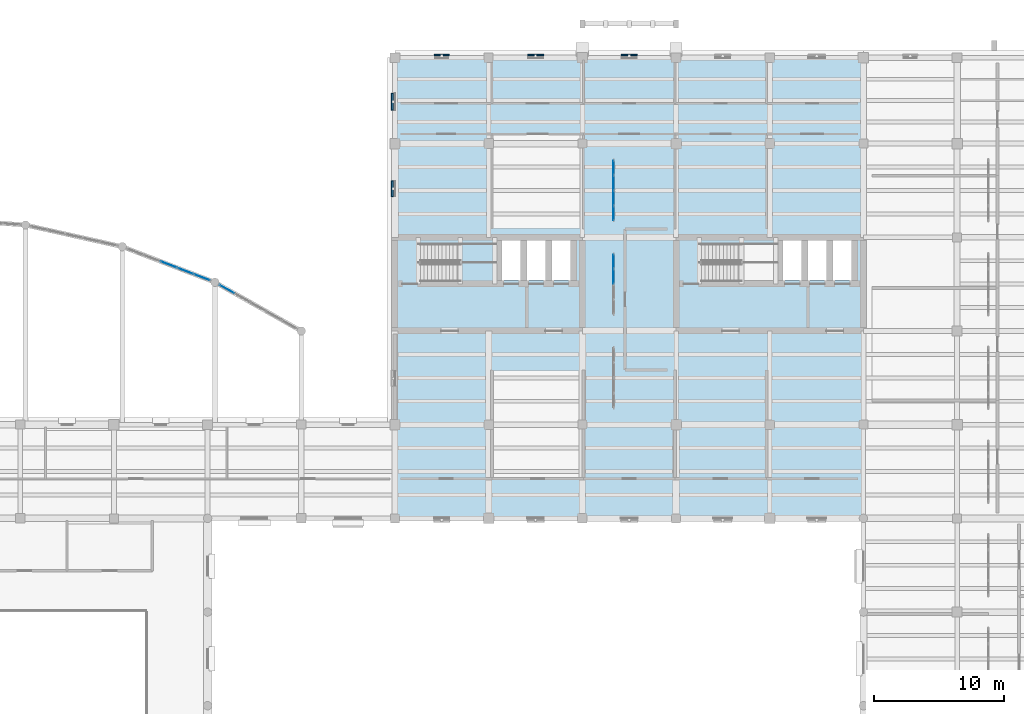
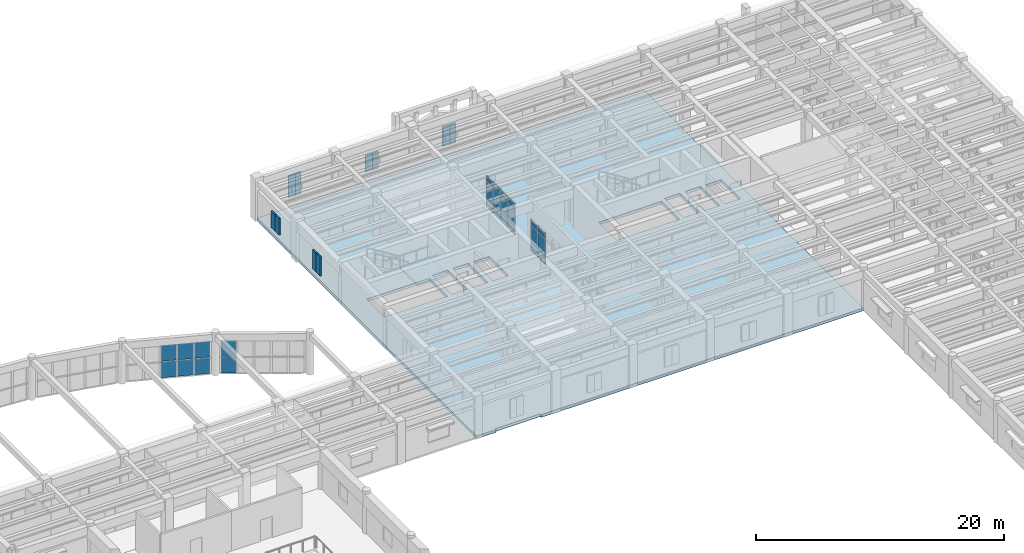
# One storey, part 43 of 76: 36 plates, 2 slabs, 5 elements without a shape of their own.
"""IFC4 building model written with IfcOpenShell, lengths in metres."""

from ifc_helpers import new_model, si_unit, direction, frame, origin, origin_2d, place, context, subcontext, project, spatial, polyline, rectangle, outline, extrude, material, layer, layer_set, type_object, element, aggregate, save


model = new_model("IFC4")

# Units and contexts
model_context = context("Model", 3, precision=1e-05, world=origin(), true_north=direction((0.0, 1.0)))
body_context = subcontext(model_context, "Body", "Model", "MODEL_VIEW")
ifc_project = project(units=[si_unit("LENGTHUNIT", "METRE"), si_unit("AREAUNIT", "SQUARE_METRE"), si_unit("VOLUMEUNIT", "CUBIC_METRE"), si_unit("PLANEANGLEUNIT", "RADIAN"), si_unit("MASSUNIT", "GRAM", prefix="KILO")], contexts=[model_context])

# Site, building, storey
site_placement = place(None, origin())
site = spatial("IfcSite", under=ifc_project, at=site_placement, CompositionType="ELEMENT")
building_placement = place(site_placement, origin())
building = spatial("IfcBuilding", under=site, at=building_placement, Name="Mithqara Police Headquarters", CompositionType="ELEMENT")
storey_placement = place(building_placement, frame((0.0, 0.0, 5.39990234375)))
storey = spatial("IfcBuildingStorey", under=building, at=storey_placement, Name="L01", CompositionType="ELEMENT", Elevation=5.39990234375)

# Curtain wall, plates
ifc_material_1 = material(Name="Bronze anodised aluminium 6063-T6", Category="aluminium")
curtain_wall_type_1 = type_object("IfcCurtainWallType", Name="CURTAIN WALL 6875X3300", PredefinedType="USERDEFINED", material=ifc_material_1)
curtain_wall_1_placement = place(storey_placement, origin())
curtain_wall_1 = element("IfcCurtainWall", 1, at=curtain_wall_1_placement, inside=storey, type_object=curtain_wall_type_1, Name="L01 Unitised Glazing CW-12 (CW-ARC-L01-06-0)", ObjectType="UNITISED GLAZING", PredefinedType="USERDEFINED")
ifc_material_2 = material(Name="Spectrally selective double low-e glass", Category="glass")
ifc_layer_1 = layer(ifc_material_2, 0.028076171875, Name="Spectrally selective double low-e glass")
ifc_layer_set_1 = layer_set([ifc_layer_1], Name="Spectrally selective double low-e glass")
plate_type_1 = type_object("IfcPlateType", Name="CWPANEL GLASS28", PredefinedType="CURTAIN_PANEL", material=ifc_layer_set_1)
plate_1_placement = place(storey_placement, frame((91.201416015625, 98.113037109375, 0.06494140625), z_axis=(0.0, 0.0, 1.0), x_axis=(0.933460278765, -0.358680788402, 0.0)))
plate_1 = element("IfcPlate", 2, at=plate_1_placement, type_object=plate_type_1, Name="CW-12 panel 3.1", PredefinedType="CURTAIN_PANEL", context=body_context, shape_type="SweptSolid", body=[
    extrude(rectangle(XDim=1.309814453125, YDim=0.028076171875, at=origin_2d()), origin(), (0.0, 0.0, 1.0), 1.552490234375),
])
plate_2_placement = place(storey_placement, frame((91.201416015625, 98.113037109375, 1.6826171875), z_axis=(0.0, 0.0, 1.0), x_axis=(0.933460278765, -0.358680788402, 0.0)))
plate_2 = element("IfcPlate", 3, at=plate_2_placement, type_object=plate_type_1, Name="CW-12 panel 3.2", PredefinedType="CURTAIN_PANEL", context=body_context, shape_type="SweptSolid", body=[
    extrude(rectangle(XDim=1.309814453125, YDim=0.028076171875, at=origin_2d()), origin(), (0.0, 0.0, 1.0), 1.552490234375),
])
plate_3_placement = place(storey_placement, frame((92.48486328125, 97.619873046875, 0.06494140625), z_axis=(0.0, 0.0, 1.0), x_axis=(0.933460278765, -0.358680788402, 0.0)))
plate_3 = element("IfcPlate", 4, at=plate_3_placement, type_object=plate_type_1, Name="CW-12 panel 4.1", PredefinedType="CURTAIN_PANEL", context=body_context, shape_type="SweptSolid", body=[
    extrude(rectangle(XDim=1.309814453125, YDim=0.028076171875, at=origin_2d()), origin(), (0.0, 0.0, 1.0), 1.552490234375),
])
plate_4_placement = place(storey_placement, frame((92.48486328125, 97.619873046875, 1.6826171875), z_axis=(0.0, 0.0, 1.0), x_axis=(0.933460278765, -0.358680788402, 0.0)))
plate_4 = element("IfcPlate", 5, at=plate_4_placement, type_object=plate_type_1, Name="CW-12 panel 4.2", PredefinedType="CURTAIN_PANEL", context=body_context, shape_type="SweptSolid", body=[
    extrude(rectangle(XDim=1.309814453125, YDim=0.028076171875, at=origin_2d()), origin(), (0.0, 0.0, 1.0), 1.552490234375),
])
plate_5_placement = place(storey_placement, frame((93.753173828125, 97.132568359375, 0.06494140625), z_axis=(0.0, 0.0, 1.0), x_axis=(0.933460278765, -0.358680788402, 0.0)))
plate_5 = element("IfcPlate", 6, at=plate_5_placement, type_object=plate_type_1, Name="CW-12 panel 5.1", PredefinedType="CURTAIN_PANEL", context=body_context, shape_type="SweptSolid", body=[
    extrude(rectangle(XDim=1.27734375, YDim=0.028076171875, at=origin_2d()), origin(), (0.0, 0.0, 1.0), 1.552490234375),
])
plate_6_placement = place(storey_placement, frame((93.753173828125, 97.132568359375, 1.6826171875), z_axis=(0.0, 0.0, 1.0), x_axis=(0.933460278765, -0.358680788402, 0.0)))
plate_6 = element("IfcPlate", 7, at=plate_6_placement, type_object=plate_type_1, Name="CW-12 panel 5.2", PredefinedType="CURTAIN_PANEL", context=body_context, shape_type="SweptSolid", body=[
    extrude(rectangle(XDim=1.27734375, YDim=0.028076171875, at=origin_2d()), origin(), (0.0, 0.0, 1.0), 1.552490234375),
])
aggregate(curtain_wall_1, [plate_1, plate_2, plate_3, plate_4, plate_5, plate_6])

curtain_wall_2_placement = place(storey_placement, origin())
curtain_wall_2 = element("IfcCurtainWall", 8, at=curtain_wall_2_placement, inside=storey, type_object=curtain_wall_type_1, Name="L01 Unitised Glazing CW-12 (CW-ARC-L01-07-0)", ObjectType="UNITISED GLAZING", PredefinedType="USERDEFINED")
plate_7_placement = place(storey_placement, frame((95.698974609375, 96.2158203125, 0.06494140625), z_axis=(0.0, 0.0, 1.0), x_axis=(0.870985969427, -0.491307888255, 0.0)))
plate_7 = element("IfcPlate", 9, at=plate_7_placement, type_object=plate_type_1, Name="CW-12 panel 1.1", PredefinedType="CURTAIN_PANEL", context=body_context, shape_type="SweptSolid", body=[
    extrude(rectangle(XDim=1.27734375, YDim=0.028076171875, at=origin_2d()), origin(), (0.0, 0.0, 1.0), 1.552490234375),
])
plate_8_placement = place(storey_placement, frame((95.698974609375, 96.2158203125, 1.6826171875), z_axis=(0.0, 0.0, 1.0), x_axis=(0.870985969427, -0.491307888255, 0.0)))
plate_8 = element("IfcPlate", 10, at=plate_8_placement, type_object=plate_type_1, Name="CW-12 panel 1.2", PredefinedType="CURTAIN_PANEL", context=body_context, shape_type="SweptSolid", body=[
    extrude(rectangle(XDim=1.27734375, YDim=0.028076171875, at=origin_2d()), origin(), (0.0, 0.0, 1.0), 1.552490234375),
])
aggregate(curtain_wall_2, [plate_7, plate_8])

curtain_wall_type_2 = type_object("IfcCurtainWallType", Name="CURTAIN WALL 4700X3200", PredefinedType="USERDEFINED", material=ifc_material_1)
curtain_wall_3_placement = place(storey_placement, origin())
curtain_wall_3 = element("IfcCurtainWall", 11, at=curtain_wall_3_placement, inside=storey, type_object=curtain_wall_type_2, Name="L01 Unitised Glazing CW-15 (CW-INT-L01-X17-Y13-0)", ObjectType="UNITISED GLAZING", PredefinedType="USERDEFINED")
plate_9_placement = place(storey_placement, frame((125.39990234375, 97.1875, 0.074951171875), z_axis=(0.0, 0.0, 1.0), x_axis=(0.0, 1.0, 0.0)))
plate_9 = element("IfcPlate", 12, at=plate_9_placement, type_object=plate_type_1, Name="CW-15 panel 3.1", PredefinedType="CURTAIN_PANEL", context=body_context, shape_type="SweptSolid", body=[
    extrude(rectangle(XDim=1.10009765625, YDim=0.028076171875, at=origin_2d()), origin(), (0.0, 0.0, 1.0), 0.78759765625),
])
plate_10_placement = place(storey_placement, frame((125.39990234375, 97.1875, 0.9375), z_axis=(0.0, 0.0, 1.0), x_axis=(0.0, 1.0, 0.0)))
plate_10 = element("IfcPlate", 13, at=plate_10_placement, type_object=plate_type_1, Name="CW-15 panel 3.2", PredefinedType="CURTAIN_PANEL", context=body_context, shape_type="SweptSolid", body=[
    extrude(rectangle(XDim=1.10009765625, YDim=0.028076171875, at=origin_2d()), origin(), (0.0, 0.0, 1.0), 1.675048828125),
])
plate_11_placement = place(storey_placement, frame((125.39990234375, 97.1875, 2.6875), z_axis=(0.0, 0.0, 1.0), x_axis=(0.0, 1.0, 0.0)))
plate_11 = element("IfcPlate", 14, at=plate_11_placement, type_object=plate_type_1, Name="CW-15 panel 3.3", PredefinedType="CURTAIN_PANEL", context=body_context, shape_type="SweptSolid", body=[
    extrude(rectangle(XDim=1.10009765625, YDim=0.028076171875, at=origin_2d()), origin(), (0.0, 0.0, 1.0), 0.4375),
])
plate_12_placement = place(storey_placement, frame((125.39990234375, 98.34375, 0.074951171875), z_axis=(0.0, 0.0, 1.0), x_axis=(0.0, 1.0, 0.0)))
plate_12 = element("IfcPlate", 15, at=plate_12_placement, type_object=plate_type_1, Name="CW-15 panel 4.1", PredefinedType="CURTAIN_PANEL", context=body_context, shape_type="SweptSolid", body=[
    extrude(rectangle(XDim=1.0625, YDim=0.028076171875, at=origin_2d()), origin(), (0.0, 0.0, 1.0), 0.78759765625),
])
plate_13_placement = place(storey_placement, frame((125.39990234375, 98.34375, 0.9375), z_axis=(0.0, 0.0, 1.0), x_axis=(0.0, 1.0, 0.0)))
plate_13 = element("IfcPlate", 16, at=plate_13_placement, type_object=plate_type_1, Name="CW-15 panel 4.2", PredefinedType="CURTAIN_PANEL", context=body_context, shape_type="SweptSolid", body=[
    extrude(rectangle(XDim=1.0625, YDim=0.028076171875, at=origin_2d()), origin(), (0.0, 0.0, 1.0), 1.675048828125),
])
plate_14_placement = place(storey_placement, frame((125.39990234375, 98.34375, 2.6875), z_axis=(0.0, 0.0, 1.0), x_axis=(0.0, 1.0, 0.0)))
plate_14 = element("IfcPlate", 17, at=plate_14_placement, type_object=plate_type_1, Name="CW-15 panel 4.3", PredefinedType="CURTAIN_PANEL", context=body_context, shape_type="SweptSolid", body=[
    extrude(rectangle(XDim=1.0625, YDim=0.028076171875, at=origin_2d()), origin(), (0.0, 0.0, 1.0), 0.4375),
])
aggregate(curtain_wall_3, [plate_9, plate_10, plate_11, plate_12, plate_13, plate_14])

curtain_wall_4_placement = place(storey_placement, origin())
curtain_wall_4 = element("IfcCurtainWall", 18, at=curtain_wall_4_placement, inside=storey, type_object=curtain_wall_type_2, Name="L01 Unitised Glazing CW-15 (CW-INT-L01-X17-Y14-0)", ObjectType="UNITISED GLAZING", PredefinedType="USERDEFINED")
plate_15_placement = place(storey_placement, frame((125.39990234375, 102.05615234375, 0.074951171875), z_axis=(0.0, 0.0, 1.0), x_axis=(0.0, 1.0, 0.0)))
plate_15 = element("IfcPlate", 19, at=plate_15_placement, type_object=plate_type_1, Name="CW-15 panel 1.1", PredefinedType="CURTAIN_PANEL", context=body_context, shape_type="SweptSolid", body=[
    extrude(rectangle(XDim=1.0625, YDim=0.028076171875, at=origin_2d()), origin(), (0.0, 0.0, 1.0), 0.78759765625),
])
plate_16_placement = place(storey_placement, frame((125.39990234375, 102.05615234375, 0.9375), z_axis=(0.0, 0.0, 1.0), x_axis=(0.0, 1.0, 0.0)))
plate_16 = element("IfcPlate", 20, at=plate_16_placement, type_object=plate_type_1, Name="CW-15 panel 1.2", PredefinedType="CURTAIN_PANEL", context=body_context, shape_type="SweptSolid", body=[
    extrude(rectangle(XDim=1.0625, YDim=0.028076171875, at=origin_2d()), origin(), (0.0, 0.0, 1.0), 1.675048828125),
])
plate_17_placement = place(storey_placement, frame((125.39990234375, 102.05615234375, 2.6875), z_axis=(0.0, 0.0, 1.0), x_axis=(0.0, 1.0, 0.0)))
plate_17 = element("IfcPlate", 21, at=plate_17_placement, type_object=plate_type_1, Name="CW-15 panel 1.3", PredefinedType="CURTAIN_PANEL", context=body_context, shape_type="SweptSolid", body=[
    extrude(rectangle(XDim=1.0625, YDim=0.028076171875, at=origin_2d()), origin(), (0.0, 0.0, 1.0), 0.4375),
])
plate_18_placement = place(storey_placement, frame((125.39990234375, 103.21240234375, 0.074951171875), z_axis=(0.0, 0.0, 1.0), x_axis=(0.0, 1.0, 0.0)))
plate_18 = element("IfcPlate", 22, at=plate_18_placement, type_object=plate_type_1, Name="CW-15 panel 2.1", PredefinedType="CURTAIN_PANEL", context=body_context, shape_type="SweptSolid", body=[
    extrude(rectangle(XDim=1.10009765625, YDim=0.028076171875, at=origin_2d()), origin(), (0.0, 0.0, 1.0), 0.78759765625),
])
plate_19_placement = place(storey_placement, frame((125.39990234375, 103.21240234375, 0.9375), z_axis=(0.0, 0.0, 1.0), x_axis=(0.0, 1.0, 0.0)))
plate_19 = element("IfcPlate", 23, at=plate_19_placement, type_object=plate_type_1, Name="CW-15 panel 2.2", PredefinedType="CURTAIN_PANEL", context=body_context, shape_type="SweptSolid", body=[
    extrude(rectangle(XDim=1.10009765625, YDim=0.028076171875, at=origin_2d()), origin(), (0.0, 0.0, 1.0), 1.675048828125),
])
plate_20_placement = place(storey_placement, frame((125.39990234375, 103.21240234375, 2.6875), z_axis=(0.0, 0.0, 1.0), x_axis=(0.0, 1.0, 0.0)))
plate_20 = element("IfcPlate", 24, at=plate_20_placement, type_object=plate_type_1, Name="CW-15 panel 2.3", PredefinedType="CURTAIN_PANEL", context=body_context, shape_type="SweptSolid", body=[
    extrude(rectangle(XDim=1.10009765625, YDim=0.028076171875, at=origin_2d()), origin(), (0.0, 0.0, 1.0), 0.4375),
])
plate_21_placement = place(storey_placement, frame((125.39990234375, 104.387451171875, 0.074951171875), z_axis=(0.0, 0.0, 1.0), x_axis=(0.0, 1.0, 0.0)))
plate_21 = element("IfcPlate", 25, at=plate_21_placement, type_object=plate_type_1, Name="CW-15 panel 3.1", PredefinedType="CURTAIN_PANEL", context=body_context, shape_type="SweptSolid", body=[
    extrude(rectangle(XDim=1.10009765625, YDim=0.028076171875, at=origin_2d()), origin(), (0.0, 0.0, 1.0), 0.78759765625),
])
plate_22_placement = place(storey_placement, frame((125.39990234375, 104.387451171875, 0.9375), z_axis=(0.0, 0.0, 1.0), x_axis=(0.0, 1.0, 0.0)))
plate_22 = element("IfcPlate", 26, at=plate_22_placement, type_object=plate_type_1, Name="CW-15 panel 3.2", PredefinedType="CURTAIN_PANEL", context=body_context, shape_type="SweptSolid", body=[
    extrude(rectangle(XDim=1.10009765625, YDim=0.028076171875, at=origin_2d()), origin(), (0.0, 0.0, 1.0), 1.675048828125),
])
plate_23_placement = place(storey_placement, frame((125.39990234375, 104.387451171875, 2.6875), z_axis=(0.0, 0.0, 1.0), x_axis=(0.0, 1.0, 0.0)))
plate_23 = element("IfcPlate", 27, at=plate_23_placement, type_object=plate_type_1, Name="CW-15 panel 3.3", PredefinedType="CURTAIN_PANEL", context=body_context, shape_type="SweptSolid", body=[
    extrude(rectangle(XDim=1.10009765625, YDim=0.028076171875, at=origin_2d()), origin(), (0.0, 0.0, 1.0), 0.4375),
])
plate_24_placement = place(storey_placement, frame((125.39990234375, 105.543701171875, 0.074951171875), z_axis=(0.0, 0.0, 1.0), x_axis=(0.0, 1.0, 0.0)))
plate_24 = element("IfcPlate", 28, at=plate_24_placement, type_object=plate_type_1, Name="CW-15 panel 4.1", PredefinedType="CURTAIN_PANEL", context=body_context, shape_type="SweptSolid", body=[
    extrude(rectangle(XDim=1.0625, YDim=0.028076171875, at=origin_2d()), origin(), (0.0, 0.0, 1.0), 0.78759765625),
])
plate_25_placement = place(storey_placement, frame((125.39990234375, 105.543701171875, 0.9375), z_axis=(0.0, 0.0, 1.0), x_axis=(0.0, 1.0, 0.0)))
plate_25 = element("IfcPlate", 29, at=plate_25_placement, type_object=plate_type_1, Name="CW-15 panel 4.2", PredefinedType="CURTAIN_PANEL", context=body_context, shape_type="SweptSolid", body=[
    extrude(rectangle(XDim=1.0625, YDim=0.028076171875, at=origin_2d()), origin(), (0.0, 0.0, 1.0), 1.675048828125),
])
plate_26_placement = place(storey_placement, frame((125.39990234375, 105.543701171875, 2.6875), z_axis=(0.0, 0.0, 1.0), x_axis=(0.0, 1.0, 0.0)))
plate_26 = element("IfcPlate", 30, at=plate_26_placement, type_object=plate_type_1, Name="CW-15 panel 4.3", PredefinedType="CURTAIN_PANEL", context=body_context, shape_type="SweptSolid", body=[
    extrude(rectangle(XDim=1.0625, YDim=0.028076171875, at=origin_2d()), origin(), (0.0, 0.0, 1.0), 0.4375),
])
aggregate(curtain_wall_4, [plate_15, plate_16, plate_17, plate_18, plate_19, plate_20, plate_21, plate_22, plate_23, plate_24, plate_25, plate_26])

# Slab
ifc_material_3 = material(Name="Concrete C40/50", Category="concrete")
ifc_layer_2 = layer(ifc_material_3, 0.280029296875, Name="Concrete C40/50")
ifc_layer_set_2 = layer_set([ifc_layer_2], Name="Concrete C40/50")
slab_type_1 = type_object("IfcSlabType", Name="FLOOR SLAB 280", PredefinedType="FLOOR", material=ifc_layer_set_2)
slab_1_placement = place(storey_placement, frame((0.0, 0.0, -0.27978515625)))
element("IfcSlab", 31, at=slab_1_placement, inside=storey, type_object=slab_type_1, Name="L01 Structural Slab L01-V1A", PredefinedType="FLOOR", context=body_context, shape_type="SweptSolid", body=[
    extrude(outline(polyline([(108.60009765625, 114.0), (144.60009765625, 114.0), (144.60009765625, 78.60009765625), (114.60009765625, 78.60009765625), (114.60009765625, 78.739990234375), (110.39990234375, 78.739990234375), (110.39990234375, 78.60009765625), (108.60009765625, 78.60009765625), (108.60009765625, 114.0)]), holes=[polyline([(110.550048828125, 96.800048828125), (116.39990234375, 96.800048828125), (116.39990234375, 99.699951171875), (110.550048828125, 99.699951171875), (110.550048828125, 96.800048828125)]), polyline([(132.14990234375, 96.800048828125), (138.0, 96.800048828125), (138.0, 99.699951171875), (132.14990234375, 99.699951171875), (132.14990234375, 96.800048828125)]), polyline([(118.25, 96.8701171875), (118.25, 99.949951171875), (116.830078125, 99.949951171875), (116.830078125, 96.8701171875), (118.25, 96.8701171875)]), polyline([(120.169921875, 96.8701171875), (120.169921875, 99.949951171875), (118.75, 99.949951171875), (118.75, 96.8701171875), (120.169921875, 96.8701171875)]), polyline([(122.090087890625, 96.8701171875), (122.090087890625, 99.949951171875), (120.669921875, 99.949951171875), (120.669921875, 96.8701171875), (122.090087890625, 96.8701171875)]), polyline([(139.85009765625, 96.8701171875), (139.85009765625, 99.949951171875), (138.429931640625, 99.949951171875), (138.429931640625, 96.8701171875), (139.85009765625, 96.8701171875)]), polyline([(141.77001953125, 96.8701171875), (141.77001953125, 99.949951171875), (140.35009765625, 99.949951171875), (140.35009765625, 96.8701171875), (141.77001953125, 96.8701171875)]), polyline([(143.68994140625, 96.8701171875), (143.68994140625, 99.949951171875), (142.27001953125, 99.949951171875), (142.27001953125, 96.8701171875), (143.68994140625, 96.8701171875)])]), origin(), (0.0, 0.0, 1.0), 0.27978515625),
])

# Stair, slab
stair_type = type_object("IfcStairType", Name="STAIR ST 01-R24", PredefinedType="HALF_TURN_STAIR", material=ifc_material_3)
stair_placement = place(storey_placement, origin())
stair = element("IfcStair", 32, at=stair_placement, inside=storey, type_object=stair_type, Name="L01 Core C1 Command West Exit Stair", PredefinedType="HALF_TURN_STAIR")
ifc_layer_3 = layer(ifc_material_3, 0.199951171875, Name="Concrete C40/50")
ifc_layer_set_3 = layer_set([ifc_layer_3], Name="Concrete C40/50")
slab_type_2 = type_object("IfcSlabType", Name="STAIR LANDING 200", PredefinedType="LANDING", material=ifc_layer_set_3)
slab_2_placement = place(storey_placement, frame((0.0, 0.0, 1.900146484375)))
slab_2 = element("IfcSlab", 33, at=slab_2_placement, type_object=slab_type_2, Name="ST-01 landing 1", PredefinedType="LANDING", context=body_context, shape_type="SweptSolid", body=[
    extrude(outline(polyline([(113.6298828125, 96.800048828125), (116.39990234375, 96.800048828125), (116.39990234375, 99.699951171875), (113.6298828125, 99.699951171875), (113.6298828125, 96.800048828125)])), origin(), (0.0, 0.0, 1.0), 0.199951171875),
])
aggregate(stair, [slab_2])

# Plates
ifc_material_4 = material(Name="Limestone ashlar masonry, 45 MPa", Category="masonry")
ifc_layer_4 = layer(ifc_material_4, 0.1201171875, Name="Limestone ashlar masonry, 45 MPa")
ifc_layer_set_4 = layer_set([ifc_layer_4], Name="Limestone ashlar masonry, 45 MPa")
plate_type_2 = type_object("IfcPlateType", Name="STONE SCREEN 120", PredefinedType="USERDEFINED", material=ifc_layer_set_4)
for number, where, z_axis, x_axis, name in (
    (34, (112.449951171875, 114.2099609375, 0.830078125), (0.0, 0.0, 1.0), (1.0, 0.0, 0.0), "L01 Pierced Limestone Vertical-Slit Panel 49"),
    (35, (111.949951171875, 114.2099609375, 0.830078125), (0.0, 0.0, 1.0), (1.0, 0.0, 0.0), "L01 Pierced Limestone Vertical-Slit Panel 50"),
):
    element("IfcPlate", number, at=place(storey_placement, frame(where, z_axis=z_axis, x_axis=x_axis)), inside=storey, type_object=plate_type_2, Name=name, ObjectType="STONE SCREEN", PredefinedType="USERDEFINED", context=body_context, shape_type="SweptSolid", body=[
        extrude(rectangle(XDim=0.656005859375, YDim=0.1201171875, at=origin_2d()), origin(), (0.0, 0.0, 1.0), 2.139892578125),
    ])
for number, where, z_axis, x_axis, name in (
    (36, (119.6875, 114.2099609375, 0.830078125), (0.0, 0.0, 1.0), (1.0, 0.0, 0.0), "L01 Pierced Limestone Vertical-Slit Panel 51"),
    (37, (119.112548828125, 114.2099609375, 0.830078125), (0.0, 0.0, 1.0), (1.0, 0.0, 0.0), "L01 Pierced Limestone Vertical-Slit Panel 52"),
):
    element("IfcPlate", number, at=place(storey_placement, frame(where, z_axis=z_axis, x_axis=x_axis)), inside=storey, type_object=plate_type_2, Name=name, ObjectType="STONE SCREEN", PredefinedType="USERDEFINED", context=body_context, shape_type="SweptSolid", body=[
        extrude(rectangle(XDim=0.656005859375, YDim=0.1201171875, at=origin_2d()), origin(), (0.0, 0.0, 1.0), 1.639892578125),
    ])
for number, where, z_axis, x_axis, name in (
    (38, (126.887451171875, 114.2099609375, 0.830078125), (0.0, 0.0, 1.0), (1.0, 0.0, 0.0), "L01 Pierced Limestone Vertical-Slit Panel 53"),
    (39, (126.3125, 114.2099609375, 0.830078125), (0.0, 0.0, 1.0), (1.0, 0.0, 0.0), "L01 Pierced Limestone Vertical-Slit Panel 54"),
):
    element("IfcPlate", number, at=place(storey_placement, frame(where, z_axis=z_axis, x_axis=x_axis)), inside=storey, type_object=plate_type_2, Name=name, ObjectType="STONE SCREEN", PredefinedType="USERDEFINED", context=body_context, shape_type="SweptSolid", body=[
        extrude(rectangle(XDim=0.656005859375, YDim=0.1201171875, at=origin_2d()), origin(), (0.0, 0.0, 1.0), 1.889892578125),
    ])
ifc_layer_5 = layer(ifc_material_4, 0.139892578125, Name="Limestone ashlar masonry, 45 MPa")
ifc_layer_set_5 = layer_set([ifc_layer_5], Name="Limestone ashlar masonry, 45 MPa")
plate_type_3 = type_object("IfcPlateType", Name="STONE SCREEN 140", PredefinedType="USERDEFINED", material=ifc_layer_set_5)
for number, where, z_axis, x_axis, name in (
    (40, (108.3798828125, 104.21240234375, 0.830078125), (0.0, 0.0, 1.0), (0.0, 1.0, 0.0), "L01 Pierced Limestone Vertical-Slit Panel 59"),
    (41, (108.3798828125, 103.637451171875, 0.830078125), (0.0, 0.0, 1.0), (0.0, 1.0, 0.0), "L01 Pierced Limestone Vertical-Slit Panel 60"),
):
    element("IfcPlate", number, at=place(storey_placement, frame(where, z_axis=z_axis, x_axis=x_axis)), inside=storey, type_object=plate_type_3, Name=name, ObjectType="STONE SCREEN", PredefinedType="USERDEFINED", context=body_context, shape_type="SweptSolid", body=[
        extrude(rectangle(XDim=0.656005859375, YDim=0.139892578125, at=origin_2d()), origin(), (0.0, 0.0, 1.0), 1.889892578125),
    ])
for number, where, z_axis, x_axis, name in (
    (42, (108.3798828125, 110.949951171875, 0.830078125), (0.0, 0.0, 1.0), (0.0, 1.0, 0.0), "L01 Pierced Limestone Vertical-Slit Panel 61"),
    (43, (108.3798828125, 110.300048828125, 0.830078125), (0.0, 0.0, 1.0), (0.0, 1.0, 0.0), "L01 Pierced Limestone Vertical-Slit Panel 62"),
):
    element("IfcPlate", number, at=place(storey_placement, frame(where, z_axis=z_axis, x_axis=x_axis)), inside=storey, type_object=plate_type_3, Name=name, ObjectType="STONE SCREEN", PredefinedType="USERDEFINED", context=body_context, shape_type="SweptSolid", body=[
        extrude(rectangle(XDim=0.656005859375, YDim=0.139892578125, at=origin_2d()), origin(), (0.0, 0.0, 1.0), 1.639892578125),
    ])

save(model, "model.ifc")
